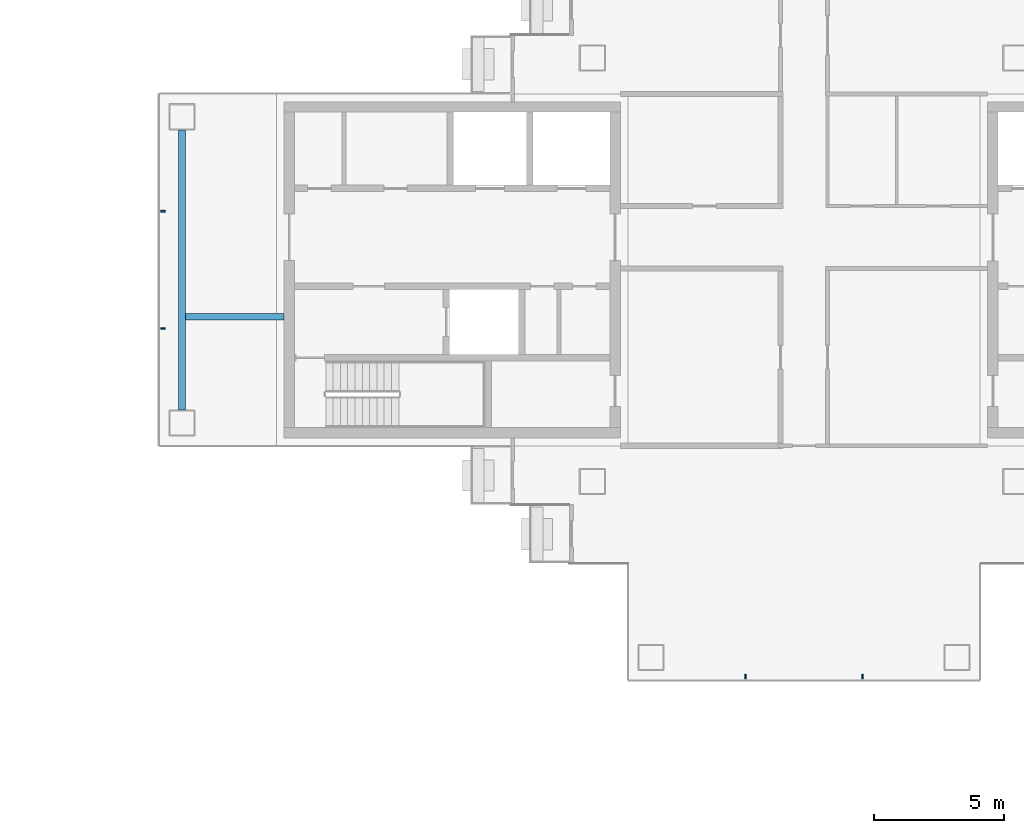
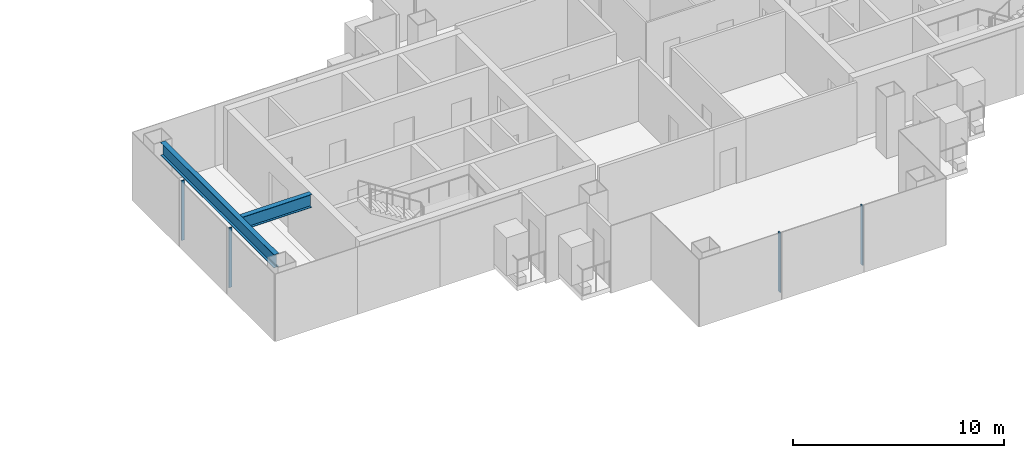
# One storey, part 5 of 17: 4 members, 2 beams, 2 elements without a shape of their own.
"""IFC4 building model written with IfcOpenShell, lengths in metres."""

from ifc_helpers import new_model, si_unit, direction, frame, origin, origin_2d, place, context, subcontext, project, spatial, rectangle, i_section, extrude, material, layer, layer_set, material_profile, profile_set, type_object, element, aggregate, save


model = new_model("IFC4")

# Units and contexts
model_context = context("Model", 3, precision=1e-05, world=origin(), true_north=direction((0.0, 1.0)))
body_context = subcontext(model_context, "Body", "Model", "MODEL_VIEW")
ifc_project = project(units=[si_unit("LENGTHUNIT", "METRE"), si_unit("AREAUNIT", "SQUARE_METRE"), si_unit("VOLUMEUNIT", "CUBIC_METRE"), si_unit("PLANEANGLEUNIT", "RADIAN"), si_unit("MASSUNIT", "GRAM", prefix="KILO")], contexts=[model_context])

# Site, building, storey
site_placement = place(None, origin())
site = spatial("IfcSite", under=ifc_project, at=site_placement, CompositionType="ELEMENT")
building_placement = place(site_placement, origin())
building = spatial("IfcBuilding", under=site, at=building_placement, Name="Shamsa Quay Exchange Towers", CompositionType="ELEMENT")
storey_placement = place(building_placement, frame((0.0, 0.0, 198.300048828125)))
storey = spatial("IfcBuildingStorey", under=building, at=storey_placement, Name="L47", CompositionType="ELEMENT", Elevation=198.300048828125)

# Curtain wall, members
ifc_material_1 = material(Name="Aluminium EN AW-6063 T6, black anodised", Category="aluminium")
ifc_layer = layer(ifc_material_1, 0.280029296875)
ifc_layer_set = layer_set([ifc_layer], Name="CW-1 UNITISED VISION GLASS")
curtain_wall_type = type_object("IfcCurtainWallType", Name="CW-1 UNITISED VISION GLASS", PredefinedType="NOTDEFINED", material=ifc_layer_set)
curtain_wall_1_placement = place(storey_placement, origin())
curtain_wall_1 = element("IfcCurtainWall", 1, at=curtain_wall_1_placement, inside=storey, type_object=curtain_wall_type, Name="CW1 T2-END-V+ L47", PredefinedType="NOTDEFINED")
ifc_material_profile_1 = material_profile(ifc_material_1, rectangle(XDim=0.179931640625, YDim=0.06005859375, at=origin_2d()), Name="MU60x180")
ifc_profile_set_1 = profile_set([ifc_material_profile_1], Name="Aluminium EN AW-6063 T6, black anodised")
member_type = type_object("IfcMemberType", Name="CW1 MULLION 60x180", PredefinedType="MULLION", material=ifc_profile_set_1)
member_1_placement = place(storey_placement, frame((9.14990234375, 2.25, 0.0)))
member_1 = element("IfcMember", 2, at=member_1_placement, type_object=member_type, Name="CW1 mullion", PredefinedType="MULLION", context=body_context, shape_type="SweptSolid", body=[
    extrude(rectangle(XDim=0.179931640625, YDim=0.06005859375, at=origin_2d()), origin(), (0.0, 0.0, 1.0), 3.449951171875),
])
member_2_placement = place(storey_placement, frame((9.14990234375, -2.25, 0.0)))
member_2 = element("IfcMember", 3, at=member_2_placement, type_object=member_type, Name="CW1 mullion", PredefinedType="MULLION", context=body_context, shape_type="SweptSolid", body=[
    extrude(rectangle(XDim=0.179931640625, YDim=0.06005859375, at=origin_2d()), origin(), (0.0, 0.0, 1.0), 3.449951171875),
])
aggregate(curtain_wall_1, [member_1, member_2])

curtain_wall_2_placement = place(storey_placement, origin())
curtain_wall_2 = element("IfcCurtainWall", 4, at=curtain_wall_2_placement, inside=storey, type_object=curtain_wall_type, Name="CW1 T2-END-U- L47", PredefinedType="NOTDEFINED")
member_3_placement = place(storey_placement, frame((31.5, -15.60009765625, 0.0), z_axis=(0.0, 0.0, 1.0), x_axis=(0.0, 1.0, 0.0)))
member_3 = element("IfcMember", 5, at=member_3_placement, type_object=member_type, Name="CW1 mullion", PredefinedType="MULLION", context=body_context, shape_type="SweptSolid", body=[
    extrude(rectangle(XDim=0.179931640625, YDim=0.06005859375, at=origin_2d()), origin(), (0.0, 0.0, 1.0), 3.449951171875),
])
member_4_placement = place(storey_placement, frame((36.0, -15.60009765625, 0.0), z_axis=(0.0, 0.0, 1.0), x_axis=(0.0, 1.0, 0.0)))
member_4 = element("IfcMember", 6, at=member_4_placement, type_object=member_type, Name="CW1 mullion", PredefinedType="MULLION", context=body_context, shape_type="SweptSolid", body=[
    extrude(rectangle(XDim=0.179931640625, YDim=0.06005859375, at=origin_2d()), origin(), (0.0, 0.0, 1.0), 3.449951171875),
])
aggregate(curtain_wall_2, [member_3, member_4])

# Beams
ifc_material_2 = material(Name="Steel S355", Category="steel")
ifc_material_profile_2 = material_profile(ifc_material_2, i_section(OverallWidth=0.26611328125, OverallDepth=0.7578125, WebThickness=0.013916015625, FlangeThickness=0.019287109375, at=origin_2d()), Name="W30x108")
ifc_profile_set_2 = profile_set([ifc_material_profile_2], Name="Steel S355")
beam_type = type_object("IfcBeamType", Name="End-zone beam W30x108", PredefinedType="BEAM", material=ifc_profile_set_2)
beam_1_placement = place(storey_placement, frame((9.875, -5.375, 3.171142578125), z_axis=(0.0, 1.0, 0.0), x_axis=(-1.0, 0.0, 0.0)))
element("IfcBeam", 7, at=beam_1_placement, inside=storey, type_object=beam_type, Name="End beam T2 V+ end zone L47", PredefinedType="BEAM", context=body_context, shape_type="SweptSolid", body=[
    extrude(i_section(OverallWidth=0.26611328125, OverallDepth=0.7578125, WebThickness=0.013916015625, FlangeThickness=0.019287109375, at=origin_2d()), origin(), (0.0, 0.0, 1.0), 10.75),
])
beam_2_placement = place(storey_placement, frame((13.800048828125, -1.800048828125, 3.171142578125), z_axis=(-1.0, 0.0, 0.0), x_axis=(0.0, -1.0, 0.0)))
element("IfcBeam", 8, at=beam_2_placement, inside=storey, type_object=beam_type, Name="Spine beam T2 V+ end zone L47", PredefinedType="BEAM", context=body_context, shape_type="SweptSolid", body=[
    extrude(i_section(OverallWidth=0.26611328125, OverallDepth=0.7578125, WebThickness=0.013916015625, FlangeThickness=0.019287109375, at=origin_2d()), origin(), (0.0, 0.0, 1.0), 3.7919921875),
])

save(model, "model.ifc")
